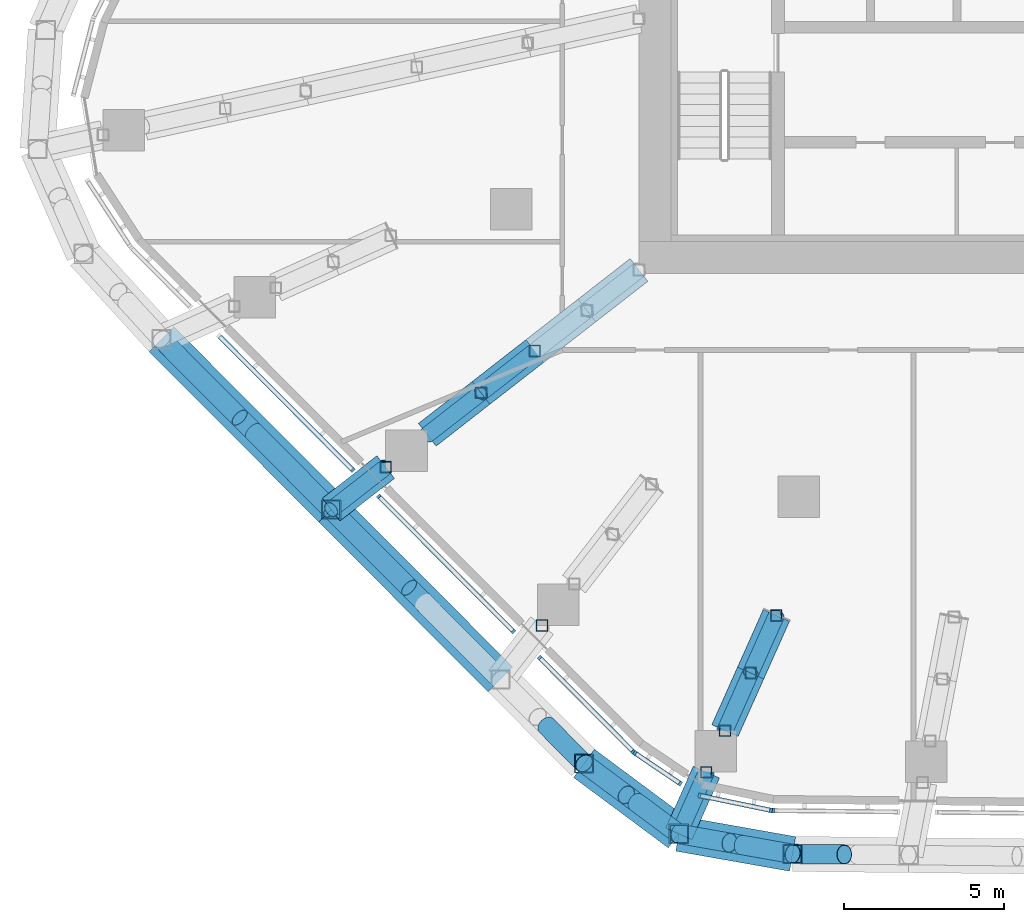
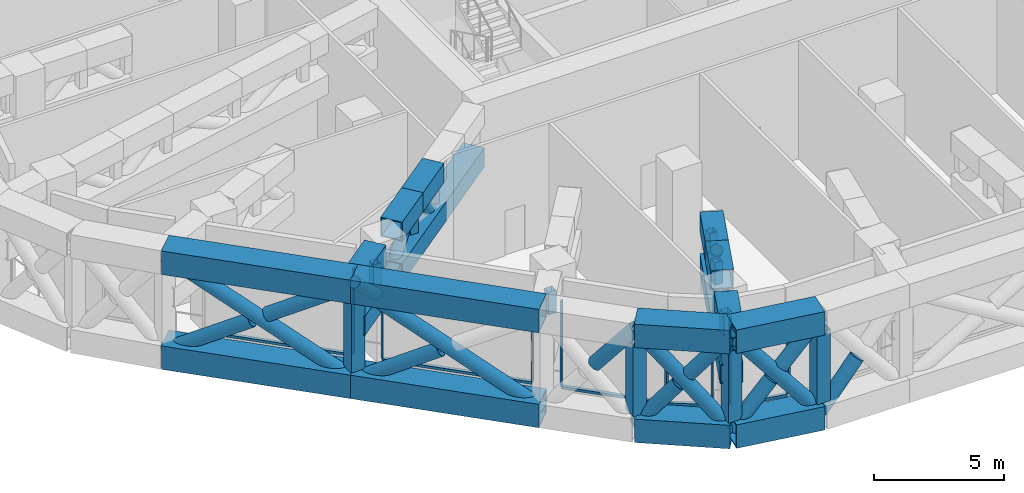
# One storey, part 2 of 30: 64 members, 3 elements without a shape of their own.
"""IFC4 building model written with IfcOpenShell, lengths in metres."""

from ifc_helpers import new_model, si_unit, direction, frame, origin, origin_2d, place, context, subcontext, project, spatial, rectangle, hollow_rectangle, hollow_circle, extrude, material, layer, layer_set, material_profile, profile_set, type_object, element, aggregate, save


model = new_model("IFC4")

# Units and contexts
model_context = context("Model", 3, precision=1e-05, world=origin(), true_north=direction((0.0, 1.0)))
body_context = subcontext(model_context, "Body", "Model", "MODEL_VIEW")
ifc_project = project(units=[si_unit("LENGTHUNIT", "METRE"), si_unit("AREAUNIT", "SQUARE_METRE"), si_unit("VOLUMEUNIT", "CUBIC_METRE"), si_unit("PLANEANGLEUNIT", "RADIAN"), si_unit("MASSUNIT", "GRAM", prefix="KILO")], contexts=[model_context])

# Site, building, storey
site_placement = place(None, origin())
site = spatial("IfcSite", under=ifc_project, at=site_placement, CompositionType="ELEMENT")
building_placement = place(site_placement, origin())
building = spatial("IfcBuilding", under=site, at=building_placement, Name="Dongbaek Canopy Tower", CompositionType="ELEMENT")
storey_placement = place(building_placement, frame((0.0, 0.0, 145.60009765625)))
storey = spatial("IfcBuildingStorey", under=building, at=storey_placement, Name="L32", CompositionType="ELEMENT", Elevation=145.60009765625)

# Members
ifc_material_1 = material(Name="Steel S355", Category="steel")
ifc_material_profile_1 = material_profile(ifc_material_1, hollow_circle(Radius=0.304931640625, WallThickness=0.01611328125, at=origin_2d()), Name="BELT BRACE CHS 610.0x16.0 Steel S355")
ifc_profile_set_1 = profile_set([ifc_material_profile_1], Name="Steel S355")
member_type_1 = type_object("IfcMemberType", Name="BELT BRACE CHS 610.0x16.0 Steel S355", PredefinedType="BRACE", material=ifc_profile_set_1)
member_1_placement = place(storey_placement, frame((-9.189208984375, -29.175537109375, 0.5498046875), z_axis=(0.632450361627, -0.00657710248, 0.774572967383), x_axis=(0.010398834848, 0.999945930655, 0.0)))
element("IfcMember", 1, at=member_1_placement, inside=storey, type_object=member_type_1, Name="BELT:L32:3:D0:1", PredefinedType="BRACE", context=body_context, shape_type="SweptSolid", body=[
    extrude(hollow_circle(Radius=0.304931640625, WallThickness=0.01611328125, at=origin_2d()), origin(), (0.0, 0.0, 1.0), 2.561279296875),
])
member_2_placement = place(storey_placement, frame((-9.189208984375, -29.175537109375, 0.5498046875), z_axis=(-0.621173900065, 0.10970155842, 0.775956541282), x_axis=(-0.173912378954, -0.984761130654, 0.0)))
element("IfcMember", 2, at=member_2_placement, inside=storey, type_object=member_type_1, Name="BELT:L32:3:D1:0", PredefinedType="BRACE", context=body_context, shape_type="SweptSolid", body=[
    extrude(hollow_circle(Radius=0.304931640625, WallThickness=0.01611328125, at=origin_2d()), origin(), (0.0, 0.0, 1.0), 5.735107421875),
])
member_3_placement = place(storey_placement, frame((-12.751708984375, -28.54638671875, 0.5498046875), z_axis=(0.621207983246, -0.109647411557, 0.775936908962), x_axis=(0.173819883974, 0.984777461123, 0.0)))
element("IfcMember", 3, at=member_3_placement, inside=storey, type_object=member_type_1, Name="BELT:L32:3:D1:1", PredefinedType="BRACE", context=body_context, shape_type="SweptSolid", body=[
    extrude(hollow_circle(Radius=0.304931640625, WallThickness=0.01611328125, at=origin_2d()), origin(), (0.0, 0.0, 1.0), 2.55615234375),
])
member_4_placement = place(storey_placement, frame((-9.189208984375, -29.175537109375, 5.0), z_axis=(-0.621142815683, 0.109748284672, -0.775974816948), x_axis=(-0.173992656545, -0.984746949967, 0.0)))
element("IfcMember", 4, at=member_4_placement, inside=storey, type_object=member_type_1, Name="BELT:L32:3:D1:2", PredefinedType="BRACE", context=body_context, shape_type="SweptSolid", body=[
    extrude(hollow_circle(Radius=0.304931640625, WallThickness=0.01611328125, at=origin_2d()), origin(), (0.0, 0.0, 1.0), 2.555908203125),
])
member_5_placement = place(storey_placement, frame((-12.751708984375, -28.54638671875, 0.5498046875), z_axis=(-0.512887856021, 0.381142267203, 0.769205186733), x_axis=(-0.596465033003, -0.802639062347, 0.0)))
element("IfcMember", 5, at=member_5_placement, inside=storey, type_object=member_type_1, Name="BELT:L32:4:D0:0", PredefinedType="BRACE", context=body_context, shape_type="SweptSolid", body=[
    extrude(hollow_circle(Radius=0.304931640625, WallThickness=0.01611328125, at=origin_2d()), origin(), (0.0, 0.0, 1.0), 5.785400390625),
])
for number, where, z_axis, x_axis, name in (
    (6, (-15.718994140625, -26.34130859375, 0.5498046875), (0.512935084818, -0.381061800019, 0.769213561586), (0.59634851515, 0.802725637113, 0.0), "BELT:L32:4:D0:1"),
    (7, (-12.751708984375, -28.54638671875, 5.0), (-0.512846940786, 0.381161081152, -0.76922314418), (-0.59651465548, -0.802602184022, 0.0), "BELT:L32:4:D0:2"),
):
    element("IfcMember", number, at=place(storey_placement, frame(where, z_axis=z_axis, x_axis=x_axis)), inside=storey, type_object=member_type_1, Name=name, PredefinedType="BRACE", context=body_context, shape_type="SweptSolid", body=[
        extrude(hollow_circle(Radius=0.304931640625, WallThickness=0.01611328125, at=origin_2d()), origin(), (0.0, 0.0, 1.0), 2.58251953125),
    ])
member_6_placement = place(storey_placement, frame((-15.718994140625, -26.34130859375, 5.0), z_axis=(-0.452035241953, 0.453827909371, -0.767922111095), x_axis=(-0.708504730242, -0.705706062908, 0.0)))
element("IfcMember", 8, at=member_6_placement, inside=storey, type_object=member_type_1, Name="BELT:L32:4:D1:2", PredefinedType="BRACE", context=body_context, shape_type="SweptSolid", body=[
    extrude(hollow_circle(Radius=0.304931640625, WallThickness=0.01611328125, at=origin_2d()), origin(), (0.0, 0.0, 1.0), 2.587646484375),
])
member_7_placement = place(storey_placement, frame((-18.33837890625, -23.71142578125, 0.5498046875), z_axis=(-0.607039982082, 0.609362589306, 0.51007812628), x_axis=(-0.70845564416, -0.705755340226, 0.0)))
element("IfcMember", 9, at=member_7_placement, inside=storey, type_object=member_type_1, Name="BELT:L32:5:D0:0", PredefinedType="BRACE", context=body_context, shape_type="SweptSolid", body=[
    extrude(hollow_circle(Radius=0.304931640625, WallThickness=0.01611328125, at=origin_2d()), origin(), (0.0, 0.0, 1.0), 8.724609375),
])
member_8_placement = place(storey_placement, frame((-23.634521484375, -18.39501953125, 0.5498046875), z_axis=(0.607036506343, -0.609347404685, 0.510100402245), x_axis=(0.708448871241, 0.705762138994, 0.0)))
element("IfcMember", 10, at=member_8_placement, inside=storey, type_object=member_type_1, Name="BELT:L32:5:D0:1", PredefinedType="BRACE", context=body_context, shape_type="SweptSolid", body=[
    extrude(hollow_circle(Radius=0.304931640625, WallThickness=0.01611328125, at=origin_2d()), origin(), (0.0, 0.0, 1.0), 4.0146484375),
])
member_9_placement = place(storey_placement, frame((-23.634521484375, -18.39501953125, 0.5498046875), z_axis=(-0.607471720016, 0.609845201799, 0.508986187655), x_axis=(-0.708484126476, -0.705726747779, 0.0)))
element("IfcMember", 11, at=member_9_placement, inside=storey, type_object=member_type_1, Name="BELT:L32:6:D0:0", PredefinedType="BRACE", context=body_context, shape_type="SweptSolid", body=[
    extrude(hollow_circle(Radius=0.304931640625, WallThickness=0.01611328125, at=origin_2d()), origin(), (0.0, 0.0, 1.0), 8.7431640625),
])
for number, where, z_axis, x_axis, name in (
    (12, (-28.94580078125, -13.06298828125, 0.5498046875), (0.607473920414, -0.609840465504, 0.508989236283), (0.708480107863, 0.705730782071, 0.0), "BELT:L32:6:D0:1"),
    (13, (-23.634521484375, -18.39501953125, 5.0), (-0.60745144066, 0.609878576573, -0.508970400984), (-0.708515215951, -0.705695535458, 0.0), "BELT:L32:6:D0:2"),
):
    element("IfcMember", number, at=place(storey_placement, frame(where, z_axis=z_axis, x_axis=x_axis)), inside=storey, type_object=member_type_1, Name=name, PredefinedType="BRACE", context=body_context, shape_type="SweptSolid", body=[
        extrude(hollow_circle(Radius=0.304931640625, WallThickness=0.01611328125, at=origin_2d()), origin(), (0.0, 0.0, 1.0), 4.0234375),
    ])
ifc_material_2 = material(Name="Steel S355", Category="steel")
ifc_material_profile_2 = material_profile(ifc_material_2, hollow_rectangle(XDim=1.10009765625, YDim=1.10009765625, WallThickness=0.054931640625, at=origin_2d()), Name="BELT CHORD BOX 1100x1100x55 Steel S355")
ifc_profile_set_2 = profile_set([ifc_material_profile_2], Name="Steel S355")
member_type_2 = type_object("IfcMemberType", Name="BELT CHORD BOX 1100x1100x55 Steel S355", PredefinedType="CHORD", material=ifc_profile_set_2)
for number, where, z_axis, x_axis, name in (
    (14, (-9.189208984375, -29.175537109375, 0.5498046875), (-0.984761130654, 0.173912378954, 0.0), (-0.173912378954, -0.984761130654, 0.0), "BELT:L32:3:CB1"),
    (15, (-9.189208984375, -29.175537109375, 5.0), (-0.984761130654, 0.173912378954, 0.0), (-0.173912378954, -0.984761130654, 0.0), "BELT:L32:3:CT1"),
):
    element("IfcMember", number, at=place(storey_placement, frame(where, z_axis=z_axis, x_axis=x_axis)), inside=storey, type_object=member_type_2, Name=name, PredefinedType="CHORD", context=body_context, shape_type="SweptSolid", body=[
        extrude(hollow_rectangle(XDim=1.10009765625, YDim=1.10009765625, WallThickness=0.054931640625, at=origin_2d()), origin(), (0.0, 0.0, 1.0), 3.61767578125),
    ])
for number, where, z_axis, x_axis, name in (
    (16, (-12.751708984375, -28.54638671875, 0.5498046875), (-0.802639062347, 0.596465033003, 0.0), (-0.596465033003, -0.802639062347, 0.0), "BELT:L32:4:CB0"),
    (17, (-12.751708984375, -28.54638671875, 5.0), (-0.802639062347, 0.596465033003, 0.0), (-0.596465033003, -0.802639062347, 0.0), "BELT:L32:4:CT0"),
):
    element("IfcMember", number, at=place(storey_placement, frame(where, z_axis=z_axis, x_axis=x_axis)), inside=storey, type_object=member_type_2, Name=name, PredefinedType="CHORD", context=body_context, shape_type="SweptSolid", body=[
        extrude(hollow_rectangle(XDim=1.10009765625, YDim=1.10009765625, WallThickness=0.054931640625, at=origin_2d()), origin(), (0.0, 0.0, 1.0), 3.697021484375),
    ])
for number, where, z_axis, x_axis, name in (
    (18, (-18.33837890625, -23.71142578125, 0.5498046875), (-0.705755340226, 0.70845564416, 0.0), (-0.70845564416, -0.705755340226, 0.0), "BELT:L32:5:CB0"),
    (19, (-18.33837890625, -23.71142578125, 5.0), (-0.705755340226, 0.70845564416, 0.0), (-0.70845564416, -0.705755340226, 0.0), "BELT:L32:5:CT0"),
):
    element("IfcMember", number, at=place(storey_placement, frame(where, z_axis=z_axis, x_axis=x_axis)), inside=storey, type_object=member_type_2, Name=name, PredefinedType="CHORD", context=body_context, shape_type="SweptSolid", body=[
        extrude(hollow_rectangle(XDim=1.10009765625, YDim=1.10009765625, WallThickness=0.054931640625, at=origin_2d()), origin(), (0.0, 0.0, 1.0), 7.504150390625),
    ])
for number, where, z_axis, x_axis, name in (
    (20, (-23.634521484375, -18.39501953125, 0.5498046875), (-0.705726747779, 0.708484126476, 0.0), (-0.708484126476, -0.705726747779, 0.0), "BELT:L32:6:CB0"),
    (21, (-23.634521484375, -18.39501953125, 5.0), (-0.705726747779, 0.708484126476, 0.0), (-0.708484126476, -0.705726747779, 0.0), "BELT:L32:6:CT0"),
):
    element("IfcMember", number, at=place(storey_placement, frame(where, z_axis=z_axis, x_axis=x_axis)), inside=storey, type_object=member_type_2, Name=name, PredefinedType="CHORD", context=body_context, shape_type="SweptSolid", body=[
        extrude(hollow_rectangle(XDim=1.10009765625, YDim=1.10009765625, WallThickness=0.054931640625, at=origin_2d()), origin(), (0.0, 0.0, 1.0), 7.52587890625),
    ])
ifc_material_3 = material(Name="Steel S355", Category="steel")
ifc_material_profile_3 = material_profile(ifc_material_3, hollow_rectangle(XDim=0.60009765625, YDim=0.60009765625, WallThickness=0.031982421875, at=origin_2d()), Name="BELT POST BOX 600x600x32 Steel S355")
ifc_profile_set_3 = profile_set([ifc_material_profile_3], Name="Steel S355")
member_type_3 = type_object("IfcMemberType", Name="BELT POST BOX 600x600x32 Steel S355", PredefinedType="POST", material=ifc_profile_set_3)
for number, where, z_axis, x_axis, name in (
    (22, (-9.189208984375, -29.175537109375, 1.099853515625), (0.0, 0.0, 1.0), (1.0, 0.0, 0.0), "BELT:L32:3:P1"),
    (23, (-12.751708984375, -28.54638671875, 1.099853515625), (0.0, 0.0, 1.0), (1.0, 0.0, 0.0), "BELT:L32:4:P0"),
    (24, (-15.718994140625, -26.34130859375, 1.099853515625), (0.0, 0.0, 1.0), (1.0, 0.0, 0.0), "BELT:L32:4:P1"),
    (25, (-23.634521484375, -18.39501953125, 1.099853515625), (0.0, 0.0, 1.0), (1.0, 0.0, 0.0), "BELT:L32:6:P0"),
):
    element("IfcMember", number, at=place(storey_placement, frame(where, z_axis=z_axis, x_axis=x_axis)), inside=storey, type_object=member_type_3, Name=name, PredefinedType="POST", context=body_context, shape_type="SweptSolid", body=[
        extrude(hollow_rectangle(XDim=0.60009765625, YDim=0.60009765625, WallThickness=0.031982421875, at=origin_2d()), origin(), (0.0, 0.0, 1.0), 3.35009765625),
    ])
ifc_material_4 = material(Name="Steel S355", Category="steel")
ifc_material_profile_4 = material_profile(ifc_material_4, hollow_circle(Radius=0.25390625, WallThickness=0.01611328125, at=origin_2d()), Name="BRACE CHS 508.0x16.0 Steel S355")
ifc_profile_set_4 = profile_set([ifc_material_profile_4], Name="Steel S355")
member_type_4 = type_object("IfcMemberType", Name="BRACE CHS 508.0x16.0 Steel S355", PredefinedType="BRACE", material=ifc_profile_set_4)
for number, where, z_axis, x_axis, name in (
    (26, (-9.697509765625, -21.70947265625, 3.14990234375), (-0.29028432765, -0.649709104249, 0.702576037861), (0.913014588027, -0.407926907729, 0.0), "TRUSS:L32:4:D0"),
    (27, (-10.503173828125, -23.5126953125, 5.099853515625), (-0.290203771983, -0.649725692593, -0.702593976), (0.913060623809, -0.407823855665, 0.0), "TRUSS:L32:4:D1"),
):
    element("IfcMember", number, at=place(storey_placement, frame(where, z_axis=z_axis, x_axis=x_axis)), inside=storey, type_object=member_type_4, Name=name, PredefinedType="BRACE", context=body_context, shape_type="SweptSolid", body=[
        extrude(hollow_circle(Radius=0.25390625, WallThickness=0.01611328125, at=origin_2d()), origin(), (0.0, 0.0, 1.0), 2.775390625),
    ])
member_10_placement = place(storey_placement, frame((-11.889404296875, -26.615966796875, 3.14990234375), z_axis=(-0.299809219222, -0.671175395353, 0.677966091145), x_axis=(0.913048054469, -0.407851995496, 0.0)))
element("IfcMember", 28, at=member_10_placement, inside=storey, type_object=member_type_4, Name="TRUSS:L32:4x:D0", PredefinedType="BRACE", context=body_context, shape_type="SweptSolid", body=[
    extrude(hollow_circle(Radius=0.25390625, WallThickness=0.01611328125, at=origin_2d()), origin(), (0.0, 0.0, 1.0), 2.876220703125),
])
member_11_placement = place(storey_placement, frame((-21.927001953125, -17.06591796875, 3.14990234375), z_axis=(-0.586211048419, -0.456295817499, 0.669440612485), x_axis=(0.614237395391, -0.789121297459, 0.0)))
element("IfcMember", 29, at=member_11_placement, inside=storey, type_object=member_type_4, Name="TRUSS:L32:6x:D0", PredefinedType="BRACE", context=body_context, shape_type="SweptSolid", body=[
    extrude(hollow_circle(Radius=0.25390625, WallThickness=0.01611328125, at=origin_2d()), origin(), (0.0, 0.0, 1.0), 2.912841796875),
])
ifc_material_5 = material(Name="Steel S355", Category="steel")
ifc_material_profile_5 = material_profile(ifc_material_5, hollow_rectangle(XDim=0.89990234375, YDim=0.89990234375, WallThickness=0.044921875, at=origin_2d()), Name="CHORD BOX 900x900x45 Steel S355")
ifc_profile_set_5 = profile_set([ifc_material_profile_5], Name="Steel S355")
member_type_5 = type_object("IfcMemberType", Name="CHORD BOX 900x900x45 Steel S355", PredefinedType="CHORD", material=ifc_profile_set_5)
member_12_placement = place(storey_placement, frame((-9.697509765625, -21.70947265625, 3.14990234375), z_axis=(-0.407875383646, -0.913037606792, 0.0), x_axis=(0.913037606792, -0.407875383646, 0.0)))
element("IfcMember", 30, at=member_12_placement, inside=storey, type_object=member_type_5, Name="TRUSS:L32:4:CB", PredefinedType="CHORD", context=body_context, shape_type="SweptSolid", body=[
    extrude(hollow_rectangle(XDim=0.89990234375, YDim=0.89990234375, WallThickness=0.044921875, at=origin_2d()), origin(), (0.0, 0.0, 1.0), 3.949951171875),
])
member_13_placement = place(storey_placement, frame((-9.697509765625, -21.70947265625, 5.099853515625), z_axis=(-0.407926907729, -0.913014588027, 0.0), x_axis=(0.913014588027, -0.407926907729, 0.0)))
element("IfcMember", 31, at=member_13_placement, inside=storey, type_object=member_type_5, Name="TRUSS:L32:4:CT0", PredefinedType="CHORD", context=body_context, shape_type="SweptSolid", body=[
    extrude(hollow_rectangle(XDim=0.89990234375, YDim=0.89990234375, WallThickness=0.044921875, at=origin_2d()), origin(), (0.0, 0.0, 1.0), 1.97509765625),
])
member_14_placement = place(storey_placement, frame((-10.503173828125, -23.5126953125, 5.099853515625), z_axis=(-0.407823855665, -0.913060623809, 0.0), x_axis=(0.913060623809, -0.407823855665, 0.0)))
element("IfcMember", 32, at=member_14_placement, inside=storey, type_object=member_type_5, Name="TRUSS:L32:4:CT1", PredefinedType="CHORD", context=body_context, shape_type="SweptSolid", body=[
    extrude(hollow_rectangle(XDim=0.89990234375, YDim=0.89990234375, WallThickness=0.044921875, at=origin_2d()), origin(), (0.0, 0.0, 1.0), 1.974853515625),
])
for number, where, z_axis, x_axis, name in (
    (33, (-11.889404296875, -26.615966796875, 3.14990234375), (-0.407851995496, -0.913048054469, 0.0), (0.913048054469, -0.407851995496, 0.0), "TRUSS:L32:4x:CB"),
    (34, (-11.889404296875, -26.615966796875, 5.099853515625), (-0.407851995496, -0.913048054469, 0.0), (0.913048054469, -0.407851995496, 0.0), "TRUSS:L32:4x:CT0"),
):
    element("IfcMember", number, at=place(storey_placement, frame(where, z_axis=z_axis, x_axis=x_axis)), inside=storey, type_object=member_type_5, Name=name, PredefinedType="CHORD", context=body_context, shape_type="SweptSolid", body=[
        extrude(hollow_rectangle(XDim=0.89990234375, YDim=0.89990234375, WallThickness=0.044921875, at=origin_2d()), origin(), (0.0, 0.0, 1.0), 2.1142578125),
    ])
for number, where, z_axis, x_axis, name in (
    (35, (-21.927001953125, -17.06591796875, 3.14990234375), (-0.789121297459, -0.614237395391, 0.0), (0.614237395391, -0.789121297459, 0.0), "TRUSS:L32:6x:CB"),
    (36, (-21.927001953125, -17.06591796875, 5.099853515625), (-0.789121297459, -0.614237395391, 0.0), (0.614237395391, -0.789121297459, 0.0), "TRUSS:L32:6x:CT0"),
):
    element("IfcMember", number, at=place(storey_placement, frame(where, z_axis=z_axis, x_axis=x_axis)), inside=storey, type_object=member_type_5, Name=name, PredefinedType="CHORD", context=body_context, shape_type="SweptSolid", body=[
        extrude(hollow_rectangle(XDim=0.89990234375, YDim=0.89990234375, WallThickness=0.044921875, at=origin_2d()), origin(), (0.0, 0.0, 1.0), 2.163818359375),
    ])

# Curtain wall, members
ifc_material_6 = material(Name="Aluminium 6063-T6 pale anodised", Category="aluminium")
ifc_layer = layer(ifc_material_6, 0.14990234375)
ifc_layer_set = layer_set([ifc_layer], Name="CW-7 louvre curtain wall")
curtain_wall_type = type_object("IfcCurtainWallType", Name="CW-7 louvre curtain wall", PredefinedType="NOTDEFINED", material=ifc_layer_set)
curtain_wall_1_placement = place(storey_placement, origin())
curtain_wall_1 = element("IfcCurtainWall", 37, at=curtain_wall_1_placement, inside=storey, type_object=curtain_wall_type, Name="CW-7 louvre wall L32 F3", PredefinedType="NOTDEFINED")
ifc_material_7 = material(Name="Aluminium 6063-T6 pale anodised", Category="aluminium")
ifc_material_profile_6 = material_profile(ifc_material_7, rectangle(XDim=0.14990234375, YDim=0.080078125, at=origin_2d()), Name="CW-7 mullion 80 x 150")
ifc_profile_set_6 = profile_set([ifc_material_profile_6], Name="Aluminium 6063-T6 pale anodised")
member_type_6 = type_object("IfcMemberType", Name="CW-7 mullion 80 x 150", PredefinedType="MULLION", material=ifc_profile_set_6)
member_15_placement = place(storey_placement, frame((-22.955810546875, -17.163330078125, 0.77490234375), z_axis=(0.0, 0.0, 1.0), x_axis=(-0.708479154412, -0.705731739235, 0.0)))
member_15 = element("IfcMember", 38, at=member_15_placement, type_object=member_type_6, Name="CW-7 mullion L32 F3.2.2", PredefinedType="MULLION", context=body_context, shape_type="SweptSolid", body=[
    extrude(rectangle(XDim=0.14990234375, YDim=0.080078125, at=origin_2d()), origin(), (0.0, 0.0, 1.0), 4.0),
])
member_16_placement = place(storey_placement, frame((-22.142822265625, -17.9794921875, 0.77490234375), z_axis=(0.0, 0.0, 1.0), x_axis=(-0.708479154412, -0.705731739235, 0.0)))
member_16 = element("IfcMember", 39, at=member_16_placement, type_object=member_type_6, Name="CW-7 mullion L32 F3.3.1", PredefinedType="MULLION", context=body_context, shape_type="SweptSolid", body=[
    extrude(rectangle(XDim=0.14990234375, YDim=0.080078125, at=origin_2d()), origin(), (0.0, 0.0, 1.0), 4.0),
])
member_17_placement = place(storey_placement, frame((-17.926025390625, -22.212646484375, 0.77490234375), z_axis=(0.0, 0.0, 1.0), x_axis=(-0.708479154412, -0.705731739235, 0.0)))
member_17 = element("IfcMember", 40, at=member_17_placement, type_object=member_type_6, Name="CW-7 mullion L32 F3.3.2", PredefinedType="MULLION", context=body_context, shape_type="SweptSolid", body=[
    extrude(rectangle(XDim=0.14990234375, YDim=0.080078125, at=origin_2d()), origin(), (0.0, 0.0, 1.0), 4.0),
])
member_18_placement = place(storey_placement, frame((-17.11083984375, -23.031005859375, 0.77490234375), z_axis=(0.0, 0.0, 1.0), x_axis=(-0.708479154412, -0.705731739235, 0.0)))
member_18 = element("IfcMember", 41, at=member_18_placement, type_object=member_type_6, Name="CW-7 mullion L32 F3.4.1", PredefinedType="MULLION", context=body_context, shape_type="SweptSolid", body=[
    extrude(rectangle(XDim=0.14990234375, YDim=0.080078125, at=origin_2d()), origin(), (0.0, 0.0, 1.0), 4.0),
])
member_19_placement = place(storey_placement, frame((-14.18017578125, -25.97314453125, 0.77490234375), z_axis=(0.0, 0.0, 1.0), x_axis=(-0.708479154412, -0.705731739235, 0.0)))
member_19 = element("IfcMember", 42, at=member_19_placement, type_object=member_type_6, Name="CW-7 mullion L32 F3.4.2", PredefinedType="MULLION", context=body_context, shape_type="SweptSolid", body=[
    extrude(rectangle(XDim=0.14990234375, YDim=0.080078125, at=origin_2d()), origin(), (0.0, 0.0, 1.0), 4.0),
])

curtain_wall_2_placement = place(storey_placement, origin())
curtain_wall_2 = element("IfcCurtainWall", 43, at=curtain_wall_2_placement, inside=storey, type_object=curtain_wall_type, Name="CW-7 louvre wall L32 K4", PredefinedType="NOTDEFINED")
member_20_placement = place(storey_placement, frame((-14.127685546875, -26.016357421875, 0.77490234375), z_axis=(0.0, 0.0, 1.0), x_axis=(-0.558939188172, -0.82920864921, 0.0)))
member_20 = element("IfcMember", 44, at=member_20_placement, type_object=member_type_6, Name="CW-7 mullion L32 K4.1.1", PredefinedType="MULLION", context=body_context, shape_type="SweptSolid", body=[
    extrude(rectangle(XDim=0.14990234375, YDim=0.080078125, at=origin_2d()), origin(), (0.0, 0.0, 1.0), 4.0),
])
member_21_placement = place(storey_placement, frame((-12.708251953125, -26.973388671875, 0.77490234375), z_axis=(0.0, 0.0, 1.0), x_axis=(-0.558939188172, -0.82920864921, 0.0)))
member_21 = element("IfcMember", 45, at=member_21_placement, type_object=member_type_6, Name="CW-7 mullion L32 K4.1.2", PredefinedType="MULLION", context=body_context, shape_type="SweptSolid", body=[
    extrude(rectangle(XDim=0.14990234375, YDim=0.080078125, at=origin_2d()), origin(), (0.0, 0.0, 1.0), 4.0),
])
member_22_placement = place(storey_placement, frame((-12.10693359375, -27.346923828125, 0.77490234375), z_axis=(0.0, 0.0, 1.0), x_axis=(-0.203210829776, -0.97913500533, 0.0)))
member_22 = element("IfcMember", 46, at=member_22_placement, type_object=member_type_6, Name="CW-7 mullion L32 K4.2.1", PredefinedType="MULLION", context=body_context, shape_type="SweptSolid", body=[
    extrude(rectangle(XDim=0.14990234375, YDim=0.080078125, at=origin_2d()), origin(), (0.0, 0.0, 1.0), 4.0),
])
member_23_placement = place(storey_placement, frame((-9.867919921875, -27.811767578125, 0.77490234375), z_axis=(0.0, 0.0, 1.0), x_axis=(-0.203210829776, -0.97913500533, 0.0)))
member_23 = element("IfcMember", 47, at=member_23_placement, type_object=member_type_6, Name="CW-7 mullion L32 K4.2.2", PredefinedType="MULLION", context=body_context, shape_type="SweptSolid", body=[
    extrude(rectangle(XDim=0.14990234375, YDim=0.080078125, at=origin_2d()), origin(), (0.0, 0.0, 1.0), 4.0),
])

# Curtain wall, member
curtain_wall_3_placement = place(storey_placement, origin())
curtain_wall_3 = element("IfcCurtainWall", 48, at=curtain_wall_3_placement, inside=storey, type_object=curtain_wall_type, Name="CW-7 louvre wall L32 F4", PredefinedType="NOTDEFINED")
member_24_placement = place(storey_placement, frame((-9.800537109375, -27.819091796875, 0.77490234375), z_axis=(0.0, 0.0, 1.0), x_axis=(-0.010400936107, -0.999945908801, 0.0)))
member_24 = element("IfcMember", 49, at=member_24_placement, type_object=member_type_6, Name="CW-7 mullion L32 F4.1.1", PredefinedType="MULLION", context=body_context, shape_type="SweptSolid", body=[
    extrude(rectangle(XDim=0.14990234375, YDim=0.080078125, at=origin_2d()), origin(), (0.0, 0.0, 1.0), 4.0),
])
aggregate(curtain_wall_3, [member_24])

# Member
ifc_material_8 = material(Name="Aluminium 6063-T6 pale anodised", Category="aluminium")
ifc_material_profile_7 = material_profile(ifc_material_8, rectangle(XDim=0.14990234375, YDim=0.1201171875, at=origin_2d()), Name="CW-7 transom 120 x 150")
ifc_profile_set_7 = profile_set([ifc_material_profile_7], Name="Aluminium 6063-T6 pale anodised")
member_type_7 = type_object("IfcMemberType", Name="CW-7 transom 120 x 150", PredefinedType="USERDEFINED", material=ifc_profile_set_7)
member_25_placement = place(storey_placement, frame((-27.150390625, -12.952392578125, 0.71484375), z_axis=(0.705729391129, -0.708481493405, 0.0), x_axis=(0.708481493405, 0.705729391129, 0.0)))
member_25 = element("IfcMember", 50, at=member_25_placement, type_object=member_type_7, Name="CW-7 transom L32 F3.2", ObjectType="TRANSOM", PredefinedType="USERDEFINED", context=body_context, shape_type="SweptSolid", body=[
    extrude(rectangle(XDim=0.14990234375, YDim=0.1201171875, at=origin_2d()), origin(), (0.0, 0.0, 1.0), 5.943603515625),
])

member_26_placement = place(storey_placement, frame((-22.142822265625, -17.9794921875, 0.71484375), z_axis=(0.705736641033, -0.708474271589, 0.0), x_axis=(0.708474271589, 0.705736641033, 0.0)))
member_26 = element("IfcMember", 51, at=member_26_placement, type_object=member_type_7, Name="CW-7 transom L32 F3.3", ObjectType="TRANSOM", PredefinedType="USERDEFINED", context=body_context, shape_type="SweptSolid", body=[
    extrude(rectangle(XDim=0.14990234375, YDim=0.1201171875, at=origin_2d()), origin(), (0.0, 0.0, 1.0), 5.97509765625),
])

member_27_placement = place(storey_placement, frame((-17.11083984375, -23.031005859375, 0.71484375), z_axis=(0.705723849471, -0.708487013493, 0.0), x_axis=(0.708487013493, 0.705723849471, 0.0)))
member_27 = element("IfcMember", 52, at=member_27_placement, type_object=member_type_7, Name="CW-7 transom L32 F3.4", ObjectType="TRANSOM", PredefinedType="USERDEFINED", context=body_context, shape_type="SweptSolid", body=[
    extrude(rectangle(XDim=0.14990234375, YDim=0.1201171875, at=origin_2d()), origin(), (0.0, 0.0, 1.0), 4.152587890625),
])

aggregate(curtain_wall_1, [member_25, member_15, member_26, member_16, member_17, member_27, member_18, member_19])

member_28_placement = place(storey_placement, frame((-14.127685546875, -26.016357421875, 0.71484375), z_axis=(0.829142844739, -0.559036799342, 0.0), x_axis=(0.559036799342, 0.829142844739, 0.0)))
member_28 = element("IfcMember", 53, at=member_28_placement, type_object=member_type_7, Name="CW-7 transom L32 K4.1", ObjectType="TRANSOM", PredefinedType="USERDEFINED", context=body_context, shape_type="SweptSolid", body=[
    extrude(rectangle(XDim=0.14990234375, YDim=0.1201171875, at=origin_2d()), origin(), (0.0, 0.0, 1.0), 1.7119140625),
])

member_29_placement = place(storey_placement, frame((-12.10693359375, -27.346923828125, 0.71484375), z_axis=(0.979121410344, -0.20327632377, 0.0), x_axis=(0.20327632377, 0.979121410344, 0.0)))
member_29 = element("IfcMember", 54, at=member_29_placement, type_object=member_type_7, Name="CW-7 transom L32 K4.2", ObjectType="TRANSOM", PredefinedType="USERDEFINED", context=body_context, shape_type="SweptSolid", body=[
    extrude(rectangle(XDim=0.14990234375, YDim=0.1201171875, at=origin_2d()), origin(), (0.0, 0.0, 1.0), 2.286865234375),
])

aggregate(curtain_wall_2, [member_28, member_20, member_21, member_29, member_22, member_23])

# Members
ifc_material_9 = material(Name="Steel S355", Category="steel")
ifc_material_profile_8 = material_profile(ifc_material_9, hollow_circle(Radius=0.25390625, WallThickness=0.01611328125, at=origin_2d()), Name="OUTRIGGER BRACE CHS 508.0x16.0 Steel S355")
ifc_profile_set_8 = profile_set([ifc_material_profile_8], Name="Steel S355")
member_type_8 = type_object("IfcMemberType", Name="OUTRIGGER BRACE CHS 508.0x16.0 Steel S355", PredefinedType="BRACE", material=ifc_profile_set_8)
member_30_placement = place(storey_placement, frame((-17.258056640625, -13.431884765625, 3.14990234375), z_axis=(-0.582603383509, -0.453483138056, 0.674482276285), x_axis=(0.614233566176, -0.789124278034, 0.0)))
element("IfcMember", 55, at=member_30_placement, inside=storey, type_object=member_type_8, Name="TRUSS:L32:6:D2", PredefinedType="BRACE", context=body_context, shape_type="SweptSolid", body=[
    extrude(hollow_circle(Radius=0.25390625, WallThickness=0.01611328125, at=origin_2d()), origin(), (0.0, 0.0, 1.0), 2.89111328125),
])
member_31_placement = place(storey_placement, frame((-18.9423828125, -14.742919921875, 5.099853515625), z_axis=(-0.582636851327, -0.453527902678, -0.674423265442), x_axis=(0.614249349494, -0.789111992461, 0.0)))
element("IfcMember", 56, at=member_31_placement, inside=storey, type_object=member_type_8, Name="TRUSS:L32:6:D3", PredefinedType="BRACE", context=body_context, shape_type="SweptSolid", body=[
    extrude(hollow_circle(Radius=0.25390625, WallThickness=0.01611328125, at=origin_2d()), origin(), (0.0, 0.0, 1.0), 2.891357421875),
])
ifc_material_10 = material(Name="Steel S355", Category="steel")
ifc_material_profile_9 = material_profile(ifc_material_10, hollow_rectangle(XDim=0.89990234375, YDim=0.89990234375, WallThickness=0.044921875, at=origin_2d()), Name="OUTRIGGER CHORD BOX 900x900x45 Steel S355")
ifc_profile_set_9 = profile_set([ifc_material_profile_9], Name="Steel S355")
member_type_9 = type_object("IfcMemberType", Name="OUTRIGGER CHORD BOX 900x900x45 Steel S355", PredefinedType="CHORD", material=ifc_profile_set_9)
member_32_placement = place(storey_placement, frame((-14.0, -10.896240234375, 3.14990234375), z_axis=(-0.78914083673, -0.614212292131, 0.0), x_axis=(0.614212292131, -0.78914083673, 0.0)))
element("IfcMember", 57, at=member_32_placement, inside=storey, type_object=member_type_9, Name="TRUSS:L32:6:CB", PredefinedType="CHORD", context=body_context, shape_type="SweptSolid", body=[
    extrude(hollow_rectangle(XDim=0.89990234375, YDim=0.89990234375, WallThickness=0.044921875, at=origin_2d()), origin(), (0.0, 0.0, 1.0), 8.397705078125),
])
member_33_placement = place(storey_placement, frame((-17.258056640625, -13.431884765625, 5.099853515625), z_axis=(-0.789124278034, -0.614233566176, 0.0), x_axis=(0.614233566176, -0.789124278034, 0.0)))
element("IfcMember", 58, at=member_33_placement, inside=storey, type_object=member_type_9, Name="TRUSS:L32:6:CT2", PredefinedType="CHORD", context=body_context, shape_type="SweptSolid", body=[
    extrude(hollow_rectangle(XDim=0.89990234375, YDim=0.89990234375, WallThickness=0.044921875, at=origin_2d()), origin(), (0.0, 0.0, 1.0), 2.134521484375),
])
member_34_placement = place(storey_placement, frame((-18.9423828125, -14.742919921875, 5.099853515625), z_axis=(-0.789111992461, -0.614249349494, 0.0), x_axis=(0.614249349494, -0.789111992461, 0.0)))
element("IfcMember", 59, at=member_34_placement, inside=storey, type_object=member_type_9, Name="TRUSS:L32:6:CT3", PredefinedType="CHORD", context=body_context, shape_type="SweptSolid", body=[
    extrude(hollow_rectangle(XDim=0.89990234375, YDim=0.89990234375, WallThickness=0.044921875, at=origin_2d()), origin(), (0.0, 0.0, 1.0), 2.134765625),
])
ifc_material_11 = material(Name="Steel S355", Category="steel")
ifc_material_profile_10 = material_profile(ifc_material_11, hollow_rectangle(XDim=0.35009765625, YDim=0.35009765625, WallThickness=0.01611328125, at=origin_2d()), Name="OUTRIGGER POST SHS 350x350x16 Steel S355")
ifc_profile_set_10 = profile_set([ifc_material_profile_10], Name="Steel S355")
member_type_10 = type_object("IfcMemberType", Name="OUTRIGGER POST SHS 350x350x16 Steel S355", PredefinedType="POST", material=ifc_profile_set_10)
for number, where, z_axis, x_axis, name in (
    (60, (-17.258056640625, -13.431884765625, 3.599853515625), (0.0, 0.0, 1.0), (1.0, 0.0, 0.0), "TRUSS:L32:6:P2"),
    (61, (-18.9423828125, -14.742919921875, 3.599853515625), (0.0, 0.0, 1.0), (1.0, 0.0, 0.0), "TRUSS:L32:6:P3"),
):
    element("IfcMember", number, at=place(storey_placement, frame(where, z_axis=z_axis, x_axis=x_axis)), inside=storey, type_object=member_type_10, Name=name, PredefinedType="POST", context=body_context, shape_type="SweptSolid", body=[
        extrude(hollow_rectangle(XDim=0.35009765625, YDim=0.35009765625, WallThickness=0.01611328125, at=origin_2d()), origin(), (0.0, 0.0, 1.0), 1.050048828125),
    ])
ifc_material_12 = material(Name="Steel S355", Category="steel")
ifc_material_profile_11 = material_profile(ifc_material_12, hollow_rectangle(XDim=0.35009765625, YDim=0.35009765625, WallThickness=0.01611328125, at=origin_2d()), Name="POST SHS 350x350x16 Steel S355")
ifc_profile_set_11 = profile_set([ifc_material_profile_11], Name="Steel S355")
member_type_11 = type_object("IfcMemberType", Name="POST SHS 350x350x16 Steel S355", PredefinedType="POST", material=ifc_profile_set_11)
for number, where, z_axis, x_axis, name in (
    (62, (-9.697509765625, -21.70947265625, 3.599853515625), (0.0, 0.0, 1.0), (1.0, 0.0, 0.0), "TRUSS:L32:4:P0"),
    (63, (-10.503173828125, -23.5126953125, 3.599853515625), (0.0, 0.0, 1.0), (1.0, 0.0, 0.0), "TRUSS:L32:4:P1"),
    (64, (-11.30859375, -25.31591796875, 3.599853515625), (0.0, 0.0, 1.0), (1.0, 0.0, 0.0), "TRUSS:L32:4:P2"),
    (65, (-11.889404296875, -26.615966796875, 3.599853515625), (0.0, 0.0, 1.0), (1.0, 0.0, 0.0), "TRUSS:L32:4x:P0"),
    (66, (-17.03564453125, -22.027099609375, 3.599853515625), (0.0, 0.0, 1.0), (1.0, 0.0, 0.0), "TRUSS:L32:5x:P0"),
    (67, (-21.927001953125, -17.06591796875, 3.599853515625), (0.0, 0.0, 1.0), (1.0, 0.0, 0.0), "TRUSS:L32:6x:P0"),
):
    element("IfcMember", number, at=place(storey_placement, frame(where, z_axis=z_axis, x_axis=x_axis)), inside=storey, type_object=member_type_11, Name=name, PredefinedType="POST", context=body_context, shape_type="SweptSolid", body=[
        extrude(hollow_rectangle(XDim=0.35009765625, YDim=0.35009765625, WallThickness=0.01611328125, at=origin_2d()), origin(), (0.0, 0.0, 1.0), 1.050048828125),
    ])

save(model, "model.ifc")
